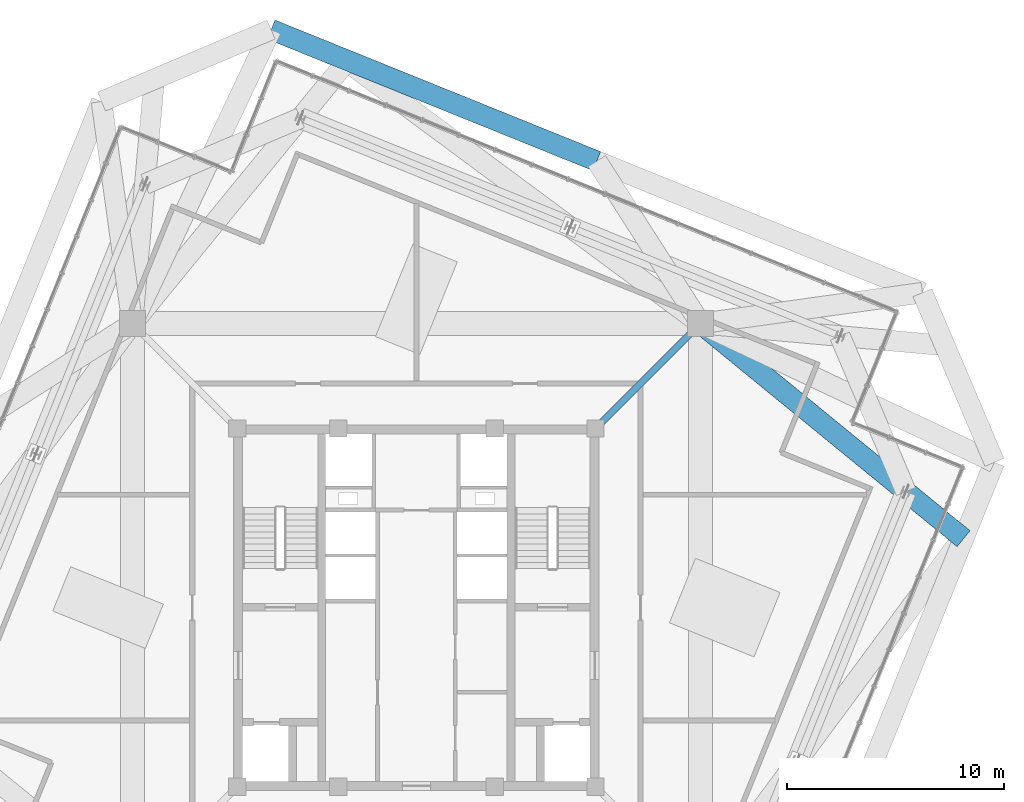
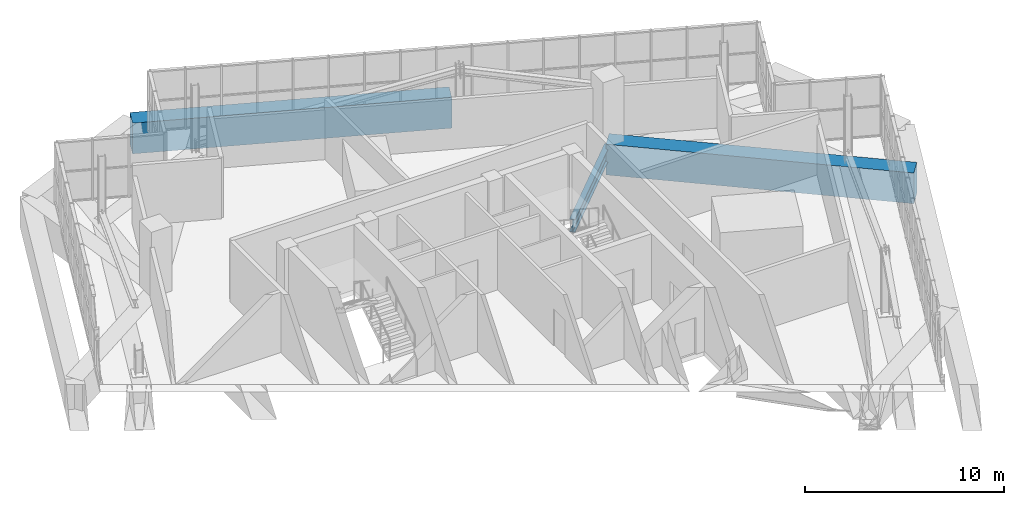
# One storey, part 24 of 35: 3 beams.
"""IFC4 building model written with IfcOpenShell, lengths in metres."""

from ifc_helpers import new_model, si_unit, direction, frame, origin, origin_2d, place, context, subcontext, project, spatial, rectangle, i_section, extrude, source, transform, mapped, material, material_profile, profile_set, type_object, element, save


model = new_model("IFC4")

# Units and contexts
model_context = context("Model", 3, precision=1e-05, world=origin(), true_north=direction((0.0, 1.0)))
body_context = subcontext(model_context, "Body", "Model", "MODEL_VIEW")
ifc_project = project(units=[si_unit("LENGTHUNIT", "METRE"), si_unit("AREAUNIT", "SQUARE_METRE"), si_unit("VOLUMEUNIT", "CUBIC_METRE"), si_unit("PLANEANGLEUNIT", "RADIAN"), si_unit("MASSUNIT", "GRAM", prefix="KILO"), si_unit("THERMODYNAMICTEMPERATUREUNIT", "KELVIN")], contexts=[model_context])

# Site, building, storey
site_placement = place(None, origin())
site = spatial("IfcSite", under=ifc_project, at=site_placement, CompositionType="ELEMENT")
building_placement = place(site_placement, origin())
building = spatial("IfcBuilding", under=site, at=building_placement, Name="Kosmvard Interchange Tower", CompositionType="ELEMENT")
storey_placement = place(building_placement, frame((0.0, 0.0, 321.60009765625)))
storey = spatial("IfcBuildingStorey", under=building, at=storey_placement, Name="L79", CompositionType="ELEMENT", Elevation=321.60009765625)

# Beams
ifc_material_1 = material(Name="Steel S355", Category="steel")
ifc_material_profile_1 = material_profile(ifc_material_1, i_section(OverallWidth=0.300048828125, OverallDepth=0.800048828125, WebThickness=0.017578125, FlangeThickness=0.032958984375, FilletRadius=0.027099609375, at=origin_2d()), Name="HEB 800")
ifc_profile_set_1 = profile_set([ifc_material_profile_1], Name="Steel S355")
beam_type_1 = type_object("IfcBeamType", Name="Primary Mega-Frame Girder HEB 800 S355", PredefinedType="BEAM", material=ifc_profile_set_1)
shared_shape_1 = source(origin(), body_context, "Body", "SweptSolid", [
    extrude(i_section(OverallWidth=0.300048828125, OverallDepth=0.800048828125, WebThickness=0.017578125, FlangeThickness=0.032958984375, FilletRadius=0.027099609375, at=origin_2d()), origin(), (0.0, 0.0, 1.0), 6.83203125),
])
beam_1_placement = place(storey_placement, frame((8.25, 8.25, -0.7001953125), z_axis=(0.707106781187, 0.707106781187, 0.0), x_axis=(-0.707106781187, 0.707106781187, 0.0)))
element("IfcBeam", 1, at=beam_1_placement, inside=storey, type_object=beam_type_1, Name="L79 Radial Mega-Frame Girder 3", PredefinedType="BEAM", context=body_context, shape_type="MappedRepresentation", body=[
    mapped(shared_shape_1, transform((0.0, 0.0, 0.0), scale=1.0)),
])
ifc_material_2 = material(Name="Concrete C60/75", Category="concrete")
ifc_material_profile_2 = material_profile(ifc_material_2, rectangle(XDim=0.949951171875, YDim=1.8798828125, at=origin_2d()), Name="TG 950x1880")
ifc_profile_set_2 = profile_set([ifc_material_profile_2], Name="Concrete C60/75")
beam_type_2 = type_object("IfcBeamType", Name="Upper Long-Span Transfer Girder 950x1880 C60/75", PredefinedType="USERDEFINED", material=ifc_profile_set_2)
shared_shape_2 = source(origin(), body_context, "Body", "SweptSolid", [
    extrude(rectangle(XDim=0.949951171875, YDim=1.8798828125, at=origin_2d()), origin(), (0.0, 0.0, 1.0), 16.1748046875),
])
beam_2_placement = place(storey_placement, frame((8.306884765625, 20.560302734375, -0.940185546875), z_axis=(-0.92718135387, 0.374612782798, 0.0), x_axis=(-0.374612782798, -0.92718135387, 0.0)))
element("IfcBeam", 2, at=beam_2_placement, inside=storey, type_object=beam_type_2, Name="BM-L79-LR05", ObjectType="TRANSFER_GIRDER", PredefinedType="USERDEFINED", context=body_context, shape_type="MappedRepresentation", body=[
    mapped(shared_shape_2, transform((0.0, 0.0, 0.0), scale=1.0)),
])
shared_shape_3 = source(origin(), body_context, "Body", "SweptSolid", [
    extrude(rectangle(XDim=0.949951171875, YDim=1.8798828125, at=origin_2d()), origin(), (0.0, 0.0, 1.0), 15.652587890625),
])
beam_3_placement = place(storey_placement, frame((13.0810546875, 13.0810546875, -0.940185546875), z_axis=(0.774168517921, -0.632979546163, 0.0), x_axis=(0.632979546163, 0.774168517921, 0.0)))
element("IfcBeam", 3, at=beam_3_placement, inside=storey, type_object=beam_type_2, Name="BM-L79-RD03", ObjectType="TRANSFER_GIRDER", PredefinedType="USERDEFINED", context=body_context, shape_type="MappedRepresentation", body=[
    mapped(shared_shape_3, transform((0.0, 0.0, 0.0), scale=1.0)),
])

save(model, "model.ifc")
